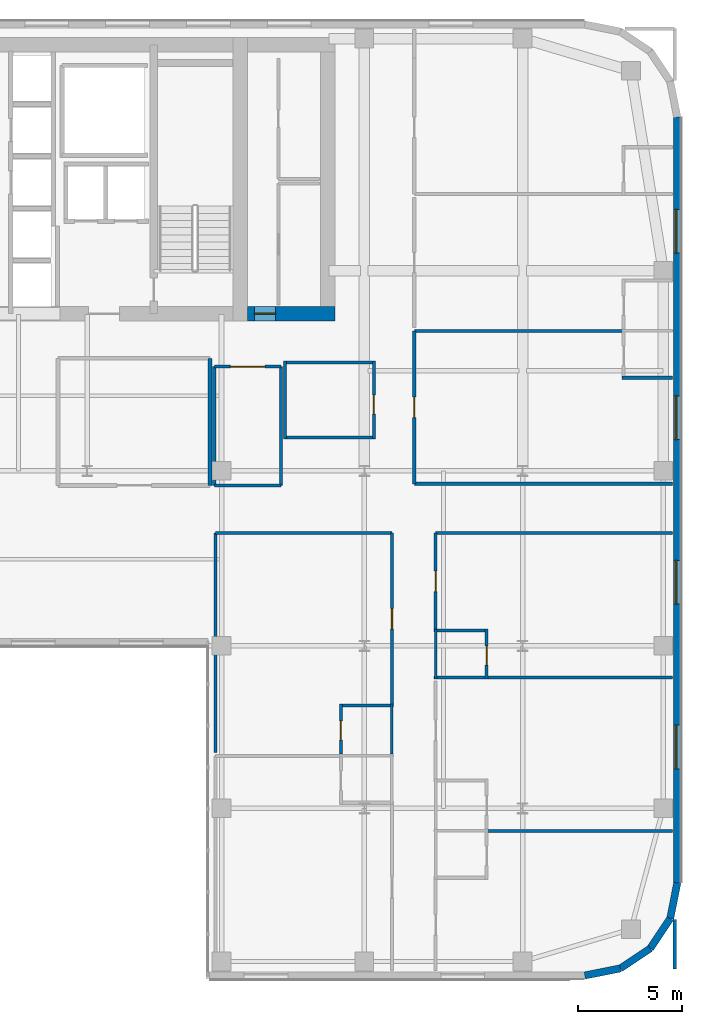
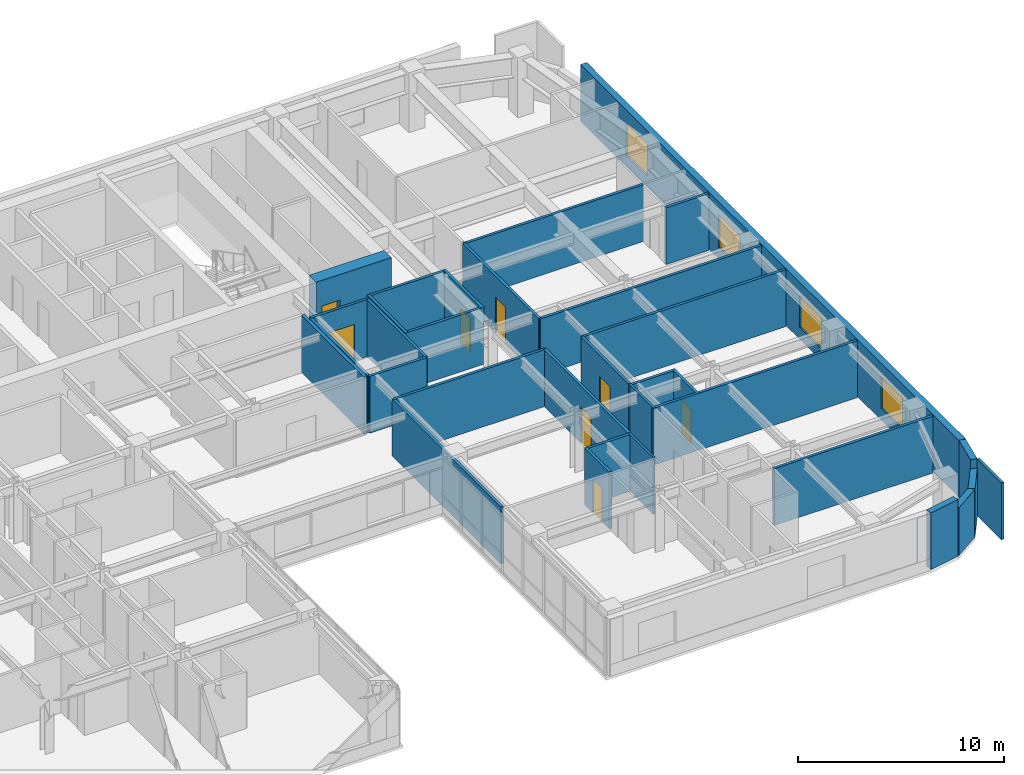
# One storey, part 16 of 24: 33 walls, 8 doors, 4 windows, 12 openings.
"""IFC4 building model written with IfcOpenShell, lengths in metres."""

from ifc_helpers import new_model, si_unit, direction, frame, frame_2d, origin, place, context, subcontext, project, spatial, rectangle, extrude, source, transform, mapped, material, layer, layer_set, type_object, type_shapes, element, fill, save


model = new_model("IFC4")

# Units and contexts
model_context = context("Model", 3, precision=1e-05, world=origin(), true_north=direction((0.0, 1.0)))
body_context = subcontext(model_context, "Body", "Model", "MODEL_VIEW")
ifc_project = project(units=[si_unit("LENGTHUNIT", "METRE"), si_unit("AREAUNIT", "SQUARE_METRE"), si_unit("VOLUMEUNIT", "CUBIC_METRE"), si_unit("PLANEANGLEUNIT", "RADIAN"), si_unit("MASSUNIT", "GRAM", prefix="KILO")], contexts=[model_context])

# Site, building, storey
site_placement = place(None, origin())
site = spatial("IfcSite", under=ifc_project, at=site_placement, CompositionType="ELEMENT")
building_placement = place(site_placement, origin())
building = spatial("IfcBuilding", under=site, at=building_placement, Name="Tolvann Quenvar Hotel", CompositionType="ELEMENT")
storey_placement = place(building_placement, frame((0.0, 0.0, 139.949951171875)))
storey = spatial("IfcBuildingStorey", under=building, at=storey_placement, Name="L36", CompositionType="ELEMENT", Elevation=139.949951171875)

# Wall, opening, door
ifc_material_1 = material(Name="Concrete S65 (65 MPa)", Category="concrete")
ifc_layer_1 = layer(ifc_material_1, 0.699951171875)
ifc_layer_set_1 = layer_set([ifc_layer_1], Name="Concrete S65 (65 MPa)")
wall_type_1 = type_object("IfcWallType", Name="WALL_CORE_700", PredefinedType="SHEAR", material=ifc_layer_set_1)
wall_1_placement = place(storey_placement, frame((36.199951171875, 31.949951171875, 0.0), z_axis=(0.0, 0.0, 1.0), x_axis=(1.0, 0.0, 0.0)))
wall_1 = element("IfcWall", 1, at=wall_1_placement, inside=storey, type_object=wall_type_1, Name="Core East Annex Shear Wall ANN-S (L36)", PredefinedType="SHEAR", context=body_context, shape_type="SweptSolid", body=[
    extrude(rectangle(XDim=4.199951171875, YDim=0.699951171875, at=frame_2d((2.10009765625, 0.0))), origin(), (0.0, 0.0, 1.0), 3.550048828125),
])
opening_1_placement = place(wall_1_placement, frame((1.340087890625, 0.0, 0.0), z_axis=(0.0, 0.0, 1.0), x_axis=(-1.0, 0.0, 0.0)))
opening_1 = element("IfcOpeningElement", 2, at=opening_1_placement, cuts=wall_1, Name="Opening HD-01", PredefinedType="OPENING", context=body_context, shape_type="SweptSolid", body=[
    extrude(rectangle(XDim=1.02001953125, YDim=2.030029296875, at=frame_2d((0.510009765625, 1.01513671875))), frame((0.0, 0.35986328125, 0.0), z_axis=(0.0, -1.0, 0.0), x_axis=(1.0, 0.0, 0.0)), (0.0, 0.0, 1.0), 0.719970703125),
])
ifc_material_2 = material(Name="Pressed galvanised steel fire-rated door set", Category="steel")
door_type_1 = type_object("IfcDoorType", Name="DOOR_BOH_1020", OperationType="NOTDEFINED", PredefinedType="DOOR", material=ifc_material_2)
shared_shape_1 = source(origin(), body_context, "Body", "SweptSolid", [
    extrude(rectangle(XDim=1.02001953125, YDim=2.030029296875, at=frame_2d((0.510009765625, 1.01513671875))), frame((0.0, 0.02490234375, 0.0), z_axis=(0.0, -1.0, 0.0), x_axis=(1.0, 0.0, 0.0)), (0.0, 0.0, 1.0), 0.050048828125),
])
type_shapes(door_type_1, [shared_shape_1])
door_1_placement = place(opening_1_placement, origin())
door_1 = element("IfcDoor", 3, at=door_1_placement, inside=storey, type_object=door_type_1, Name="Housekeeping Annex Fire Door (L36)", OperationType="SINGLE_SWING_RIGHT", OverallHeight=2.030029296875, OverallWidth=1.02001953125, PredefinedType="DOOR", context=body_context, shape_type="MappedRepresentation", body=[
    mapped(shared_shape_1, transform((0.0, 0.0, 0.0), x_axis=(1.0, 0.0, 0.0), y_axis=(0.0, 1.0, 0.0), z_axis=(0.0, 0.0, 1.0), scale=1.0)),
])
fill(opening_1, door_1)

# Walls
ifc_material_3 = material(Name="Kiln-fired red and buff architectural clay brickwork and terracotta masonry", Category="masonry")
ifc_layer_2 = layer(ifc_material_3, 0.35009765625)
ifc_layer_set_2 = layer_set([ifc_layer_2], Name="Kiln-fired red and buff architectural clay brickwork and terracotta masonry")
wall_type_2 = type_object("IfcWallType", Name="WALL_EXT_BRICK_350", PredefinedType="SOLIDWALL", material=ifc_layer_set_2)
wall_2_placement = place(storey_placement, frame((52.3828125, 0.175048828125, 0.0), z_axis=(0.0, 0.0, 1.0), x_axis=(0.980800971659, 0.195011420161, 0.0)))
element("IfcWall", 4, at=wall_2_placement, inside=storey, type_object=wall_type_2, Name="Exterior Chicago Brick Wall L36-E09", PredefinedType="SOLIDWALL", context=body_context, shape_type="SweptSolid", body=[
    extrude(rectangle(XDim=1.74267578125, YDim=0.35009765625, at=frame_2d((0.871337890625, 0.0))), origin(), (0.0, 0.0, 1.0), 3.3701171875),
])
for number, where, z_axis, x_axis, name in (
    (5, (54.092041015625, 0.514892578125, 0.0), (0.0, 0.0, 1.0), (0.831483840845, 0.55554893791, 0.0), "Exterior Chicago Brick Wall L36-E10"),
    (6, (55.526611328125, 1.473388671875, 0.0), (0.0, 0.0, 1.0), (0.55554893791, 0.831483840845, 0.0), "Exterior Chicago Brick Wall L36-E11"),
):
    element("IfcWall", number, at=place(storey_placement, frame(where, z_axis=z_axis, x_axis=x_axis)), inside=storey, type_object=wall_type_2, Name=name, PredefinedType="SOLIDWALL", context=body_context, shape_type="SweptSolid", body=[
        extrude(rectangle(XDim=1.725341796875, YDim=0.35009765625, at=frame_2d((0.86279296875, 0.0))), origin(), (0.0, 0.0, 1.0), 2.83203125),
    ])
wall_3_placement = place(storey_placement, frame((56.485107421875, 2.907958984375, 0.0), z_axis=(0.0, 0.0, 1.0), x_axis=(0.195011420161, 0.980800971659, 0.0)))
element("IfcWall", 7, at=wall_3_placement, inside=storey, type_object=wall_type_2, Name="Exterior Chicago Brick Wall L36-E12", PredefinedType="SOLIDWALL", context=body_context, shape_type="SweptSolid", body=[
    extrude(rectangle(XDim=1.74267578125, YDim=0.35009765625, at=frame_2d((0.871337890625, 0.0))), origin(), (0.0, 0.0, 1.0), 3.3701171875),
])

# Wall, openings, windows
wall_4_placement = place(storey_placement, frame((56.824951171875, 4.6171875, 0.0), z_axis=(0.0, 0.0, 1.0), x_axis=(0.0, 1.0, 0.0)))
wall_4 = element("IfcWall", 8, at=wall_4_placement, inside=storey, type_object=wall_type_2, Name="Exterior Chicago Brick Wall L36-E13", PredefinedType="SOLIDWALL", context=body_context, shape_type="SweptSolid", body=[
    extrude(rectangle(XDim=36.765625, YDim=0.35009765625, at=frame_2d((18.3828125, 0.0))), origin(), (0.0, 0.0, 1.0), 3.3701171875),
])
opening_2_placement = place(wall_4_placement, frame((5.47802734375, 0.0, 0.679931640625)))
opening_2 = element("IfcOpeningElement", 9, at=opening_2_placement, cuts=wall_4, Name="Opening W-02", PredefinedType="OPENING", context=body_context, shape_type="SweptSolid", body=[
    extrude(rectangle(XDim=2.10009765625, YDim=1.89990234375, at=frame_2d((1.050048828125, 0.949951171875))), frame((0.0, 0.18505859375, 0.0), z_axis=(0.0, -1.0, 0.0), x_axis=(1.0, 0.0, 0.0)), (0.0, 0.0, 1.0), 0.3701171875),
])
opening_3_placement = place(wall_4_placement, frame((13.381103515625, 0.0, 0.679931640625)))
opening_3 = element("IfcOpeningElement", 10, at=opening_3_placement, cuts=wall_4, Name="Opening W-02", PredefinedType="OPENING", context=body_context, shape_type="SweptSolid", body=[
    extrude(rectangle(XDim=2.10009765625, YDim=1.89990234375, at=frame_2d((1.050048828125, 0.949951171875))), frame((0.0, 0.18505859375, 0.0), z_axis=(0.0, -1.0, 0.0), x_axis=(1.0, 0.0, 0.0)), (0.0, 0.0, 1.0), 0.3701171875),
])
opening_4_placement = place(wall_4_placement, frame((21.284912109375, 0.0, 0.679931640625)))
opening_4 = element("IfcOpeningElement", 11, at=opening_4_placement, cuts=wall_4, Name="Opening W-02", PredefinedType="OPENING", context=body_context, shape_type="SweptSolid", body=[
    extrude(rectangle(XDim=2.10009765625, YDim=1.89990234375, at=frame_2d((1.050048828125, 0.949951171875))), frame((0.0, 0.18505859375, 0.0), z_axis=(0.0, -1.0, 0.0), x_axis=(1.0, 0.0, 0.0)), (0.0, 0.0, 1.0), 0.3701171875),
])
opening_5_placement = place(wall_4_placement, frame((30.238037109375, 0.0, 0.679931640625)))
opening_5 = element("IfcOpeningElement", 12, at=opening_5_placement, cuts=wall_4, Name="Opening W-02", PredefinedType="OPENING", context=body_context, shape_type="SweptSolid", body=[
    extrude(rectangle(XDim=2.10009765625, YDim=1.89990234375, at=frame_2d((1.050048828125, 0.949951171875))), frame((0.0, 0.18505859375, 0.0), z_axis=(0.0, -1.0, 0.0), x_axis=(1.0, 0.0, 0.0)), (0.0, 0.0, 1.0), 0.3701171875),
])
ifc_material_4 = material(Name="Thermally broken bronze-anodised aluminium frame with double low-E glazing", Category="aluminium")
window_type = type_object("IfcWindowType", Name="WIN_CHI_2100x2050", PartitioningType="TRIPLE_PANEL_HORIZONTAL", PredefinedType="WINDOW", material=ifc_material_4)
shared_shape_2 = source(origin(), body_context, "Body", "SweptSolid", [
    extrude(rectangle(XDim=2.10009765625, YDim=1.89990234375, at=frame_2d((1.050048828125, 0.949951171875))), frame((0.0, 0.090087890625, 0.0), z_axis=(0.0, -1.0, 0.0), x_axis=(1.0, 0.0, 0.0)), (0.0, 0.0, 1.0), 0.06005859375),
])
type_shapes(window_type, [shared_shape_2])
window_1_placement = place(opening_2_placement, origin())
window_1 = element("IfcWindow", 13, at=window_1_placement, inside=storey, type_object=window_type, Name="Chicago Window W-02 (EW-L36-E13-W01)", OverallHeight=1.89990234375, OverallWidth=2.10009765625, PartitioningType="TRIPLE_PANEL_HORIZONTAL", PredefinedType="WINDOW", context=body_context, shape_type="MappedRepresentation", body=[
    mapped(shared_shape_2, transform((0.0, 0.0, 0.0), x_axis=(1.0, 0.0, 0.0), y_axis=(0.0, 1.0, 0.0), z_axis=(0.0, 0.0, 1.0), scale=1.0)),
])
fill(opening_2, window_1)
window_2_placement = place(opening_3_placement, origin())
window_2 = element("IfcWindow", 14, at=window_2_placement, inside=storey, type_object=window_type, Name="Chicago Window W-02 (EW-L36-E13-W02)", OverallHeight=1.89990234375, OverallWidth=2.10009765625, PartitioningType="TRIPLE_PANEL_HORIZONTAL", PredefinedType="WINDOW", context=body_context, shape_type="MappedRepresentation", body=[
    mapped(shared_shape_2, transform((0.0, 0.0, 0.0), x_axis=(1.0, 0.0, 0.0), y_axis=(0.0, 1.0, 0.0), z_axis=(0.0, 0.0, 1.0), scale=1.0)),
])
fill(opening_3, window_2)
window_3_placement = place(opening_4_placement, origin())
window_3 = element("IfcWindow", 15, at=window_3_placement, inside=storey, type_object=window_type, Name="Chicago Window W-02 (EW-L36-E13-W03)", OverallHeight=1.89990234375, OverallWidth=2.10009765625, PartitioningType="TRIPLE_PANEL_HORIZONTAL", PredefinedType="WINDOW", context=body_context, shape_type="MappedRepresentation", body=[
    mapped(shared_shape_2, transform((0.0, 0.0, 0.0), x_axis=(1.0, 0.0, 0.0), y_axis=(0.0, 1.0, 0.0), z_axis=(0.0, 0.0, 1.0), scale=1.0)),
])
fill(opening_4, window_3)
window_4_placement = place(opening_5_placement, origin())
window_4 = element("IfcWindow", 16, at=window_4_placement, inside=storey, type_object=window_type, Name="Chicago Window W-02 (EW-L36-E13-W04)", OverallHeight=1.89990234375, OverallWidth=2.10009765625, PartitioningType="TRIPLE_PANEL_HORIZONTAL", PredefinedType="WINDOW", context=body_context, shape_type="MappedRepresentation", body=[
    mapped(shared_shape_2, transform((0.0, 0.0, 0.0), x_axis=(1.0, 0.0, 0.0), y_axis=(0.0, 1.0, 0.0), z_axis=(0.0, 0.0, 1.0), scale=1.0)),
])
fill(opening_5, window_4)

# Walls
ifc_material_5 = material(Name="Acoustic twin-stud fire-rated gypsum plasterboard partition")
ifc_layer_3 = layer(ifc_material_5, 0.179931640625)
ifc_layer_set_3 = layer_set([ifc_layer_3], Name="Acoustic twin-stud fire-rated gypsum plasterboard partition")
wall_type_3 = type_object("IfcWallType", Name="WALL_PART_ACOUSTIC_180", PredefinedType="PARTITIONING", material=ifc_layer_set_3)
wall_5_placement = place(storey_placement, frame((34.39990234375, 23.699951171875, 0.0), z_axis=(0.0, 0.0, 1.0), x_axis=(0.0, 1.0, 0.0)))
element("IfcWall", 17, at=wall_5_placement, inside=storey, type_object=wall_type_3, Name="Interior Partition PT-SPC-L36-MSP-C-E", PredefinedType="PARTITIONING", context=body_context, shape_type="SweptSolid", body=[
    extrude(rectangle(XDim=6.10009765625, YDim=0.179931640625, at=frame_2d((3.050048828125, 0.0))), origin(), (0.0, 0.0, 1.0), 3.3701171875),
])
ifc_material_6 = material(Name="Moisture-resistant acoustic plumbing wall assembly")
ifc_layer_4 = layer(ifc_material_6, 0.1201171875)
ifc_layer_set_4 = layer_set([ifc_layer_4], Name="Moisture-resistant acoustic plumbing wall assembly")
wall_type_4 = type_object("IfcWallType", Name="WALL_PART_BATH_120", PredefinedType="PLUMBINGWALL", material=ifc_layer_set_4)
wall_6_placement = place(storey_placement, frame((43.1298828125, 10.81005859375, 0.0), z_axis=(0.0, 0.0, 1.0), x_axis=(0.0, 1.0, 0.0)))
element("IfcWall", 18, at=wall_6_placement, inside=storey, type_object=wall_type_4, Name="Non-Rated Plumbing Partition PT-SPC-L36-ENS-EI02-E", PredefinedType="PLUMBINGWALL", context=body_context, shape_type="SweptSolid", body=[
    extrude(rectangle(XDim=2.389892578125, YDim=0.1201171875, at=frame_2d((1.19482421875, 0.0))), origin(), (0.0, 0.0, 1.0), 3.3701171875),
])
wall_7_placement = place(storey_placement, frame((45.219970703125, 14.409912109375, 0.0), z_axis=(0.0, 0.0, 1.0), x_axis=(0.0, 1.0, 0.0)))
element("IfcWall", 19, at=wall_7_placement, inside=storey, type_object=wall_type_4, Name="Non-Rated Plumbing Partition PT-SPC-L36-ENS-EO03-W", PredefinedType="PLUMBINGWALL", context=body_context, shape_type="SweptSolid", body=[
    extrude(rectangle(XDim=2.39013671875, YDim=0.1201171875, at=frame_2d((1.195068359375, 0.0))), origin(), (0.0, 0.0, 1.0), 3.3701171875),
])

# Wall, opening, door
ifc_layer_5 = layer(ifc_material_5, 0.14990234375)
ifc_layer_set_5 = layer_set([ifc_layer_5], Name="Acoustic twin-stud fire-rated gypsum plasterboard partition")
wall_type_5 = type_object("IfcWallType", Name="WALL_PART_SUITE_150", PredefinedType="PARTITIONING", material=ifc_layer_set_5)
wall_8_placement = place(storey_placement, frame((40.679931640625, 10.81005859375, 0.0), z_axis=(0.0, 0.0, 1.0), x_axis=(0.0, 1.0, 0.0)))
wall_8 = element("IfcWall", 20, at=wall_8_placement, inside=storey, type_object=wall_type_5, Name="Interior Partition PT-SPC-L36-ENS-EI02-ENT", PredefinedType="PARTITIONING", context=body_context, shape_type="SweptSolid", body=[
    extrude(rectangle(XDim=2.389892578125, YDim=0.14990234375, at=frame_2d((1.19482421875, 0.0))), origin(), (0.0, 0.0, 1.0), 3.3701171875),
])
opening_6_placement = place(wall_8_placement, frame((0.6650390625, 0.0, 0.0)))
opening_6 = element("IfcOpeningElement", 21, at=opening_6_placement, cuts=wall_8, Name="Opening WD-01", PredefinedType="OPENING", context=body_context, shape_type="SweptSolid", body=[
    extrude(rectangle(XDim=0.919921875, YDim=2.010009765625, at=frame_2d((0.4599609375, 1.0048828125))), frame((0.0, 0.0849609375, 0.0), z_axis=(0.0, -1.0, 0.0), x_axis=(1.0, 0.0, 0.0)), (0.0, 0.0, 1.0), 0.169921875),
])
ifc_material_7 = material(Name="Solid-core American oak acoustic fire door leaf in steel frame", Category="steel")
door_type_2 = type_object("IfcDoorType", Name="DOOR_WC_920", OperationType="NOTDEFINED", PredefinedType="DOOR", material=ifc_material_7)
shared_shape_3 = source(origin(), body_context, "Body", "SweptSolid", [
    extrude(rectangle(XDim=0.919921875, YDim=2.010009765625, at=frame_2d((0.4599609375, 1.0048828125))), frame((0.0, 0.02490234375, 0.0), z_axis=(0.0, -1.0, 0.0), x_axis=(1.0, 0.0, 0.0)), (0.0, 0.0, 1.0), 0.050048828125),
])
type_shapes(door_type_2, [shared_shape_3])
door_2_placement = place(opening_6_placement, origin())
door_2 = element("IfcDoor", 22, at=door_2_placement, inside=storey, type_object=door_type_2, Name="Interior Door DOOR-SPC-L36-ENS-EI02", OperationType="SINGLE_SWING_RIGHT", OverallHeight=2.010009765625, OverallWidth=0.919921875, PredefinedType="DOOR", context=body_context, shape_type="MappedRepresentation", body=[
    mapped(shared_shape_3, transform((0.0, 0.0, 0.0), x_axis=(1.0, 0.0, 0.0), y_axis=(0.0, 1.0, 0.0), z_axis=(0.0, 0.0, 1.0), scale=1.0)),
])
fill(opening_6, door_2)

# Wall
wall_9_placement = place(storey_placement, frame((40.610107421875, 13.1298828125, 0.0), z_axis=(0.0, 0.0, 1.0), x_axis=(1.0, 0.0, 0.0)))
element("IfcWall", 23, at=wall_9_placement, inside=storey, type_object=wall_type_5, Name="Interior Partition PT-SPC-L36-ENS-EI02-N", PredefinedType="PARTITIONING", context=body_context, shape_type="SweptSolid", body=[
    extrude(rectangle(XDim=2.58984375, YDim=0.14990234375, at=frame_2d((1.294921875, 0.0))), origin(), (0.0, 0.0, 1.0), 3.3701171875),
])

# Wall, opening, door
wall_10_placement = place(storey_placement, frame((47.669921875, 14.409912109375, 0.0), z_axis=(0.0, 0.0, 1.0), x_axis=(0.0, 1.0, 0.0)))
wall_10 = element("IfcWall", 24, at=wall_10_placement, inside=storey, type_object=wall_type_5, Name="Interior Partition PT-SPC-L36-ENS-EO03-ENT", PredefinedType="PARTITIONING", context=body_context, shape_type="SweptSolid", body=[
    extrude(rectangle(XDim=2.39013671875, YDim=0.14990234375, at=frame_2d((1.195068359375, 0.0))), origin(), (0.0, 0.0, 1.0), 3.3701171875),
])
opening_7_placement = place(wall_10_placement, frame((0.6650390625, 0.0, 0.0)))
opening_7 = element("IfcOpeningElement", 25, at=opening_7_placement, cuts=wall_10, Name="Opening WD-01", PredefinedType="OPENING", context=body_context, shape_type="SweptSolid", body=[
    extrude(rectangle(XDim=0.919921875, YDim=2.010009765625, at=frame_2d((0.4599609375, 1.0048828125))), frame((0.0, 0.0849609375, 0.0), z_axis=(0.0, -1.0, 0.0), x_axis=(1.0, 0.0, 0.0)), (0.0, 0.0, 1.0), 0.169921875),
])
door_3_placement = place(opening_7_placement, origin())
door_3 = element("IfcDoor", 26, at=door_3_placement, inside=storey, type_object=door_type_2, Name="Interior Door DOOR-SPC-L36-ENS-EO03", OperationType="SINGLE_SWING_LEFT", OverallHeight=2.010009765625, OverallWidth=0.919921875, PredefinedType="DOOR", context=body_context, shape_type="MappedRepresentation", body=[
    mapped(shared_shape_3, transform((0.0, 0.0, 0.0), x_axis=(1.0, 0.0, 0.0), y_axis=(0.0, 1.0, 0.0), z_axis=(0.0, 0.0, 1.0), scale=1.0)),
])
fill(opening_7, door_3)

# Walls
wall_11_placement = place(storey_placement, frame((45.14990234375, 14.47998046875, 0.0), z_axis=(0.0, 0.0, 1.0), x_axis=(1.0, 0.0, 0.0)))
element("IfcWall", 27, at=wall_11_placement, inside=storey, type_object=wall_type_5, Name="Interior Partition PT-SPC-L36-ENS-EO03-S", PredefinedType="PARTITIONING", context=body_context, shape_type="SweptSolid", body=[
    extrude(rectangle(XDim=11.445068359375, YDim=0.14990234375, at=frame_2d((5.72265625, 0.0))), origin(), (0.0, 0.0, 1.0), 3.3701171875),
])
wall_12_placement = place(storey_placement, frame((45.14990234375, 16.72998046875, 0.0), z_axis=(0.0, 0.0, 1.0), x_axis=(1.0, 0.0, 0.0)))
element("IfcWall", 28, at=wall_12_placement, inside=storey, type_object=wall_type_5, Name="Interior Partition PT-SPC-L36-ENS-EO03-N", PredefinedType="PARTITIONING", context=body_context, shape_type="SweptSolid", body=[
    extrude(rectangle(XDim=2.590087890625, YDim=0.14990234375, at=frame_2d((1.294921875, 0.0))), origin(), (0.0, 0.0, 1.0), 3.3701171875),
])
wall_13_placement = place(storey_placement, frame((54.179931640625, 28.8701171875, 0.0), z_axis=(0.0, 0.0, 1.0), x_axis=(1.0, 0.0, 0.0)))
element("IfcWall", 29, at=wall_13_placement, inside=storey, type_object=wall_type_5, Name="Interior Partition PT-SPC-L36-ENS-NE01-S", PredefinedType="PARTITIONING", context=body_context, shape_type="SweptSolid", body=[
    extrude(rectangle(XDim=2.4150390625, YDim=0.14990234375, at=frame_2d((1.20751953125, 0.0))), origin(), (0.0, 0.0, 1.0), 3.3701171875),
])

# Wall, opening, door
wall_14_placement = place(storey_placement, frame((43.1298828125, 13.2099609375, 0.0), z_axis=(0.0, 0.0, 1.0), x_axis=(0.0, 1.0, 0.0)))
wall_14 = element("IfcWall", 30, at=wall_14_placement, inside=storey, type_object=wall_type_5, Name="Interior Partition PT-SPC-L36-RM-EI02-ENT", PredefinedType="PARTITIONING", context=body_context, shape_type="SweptSolid", body=[
    extrude(rectangle(XDim=8.2099609375, YDim=0.14990234375, at=frame_2d((4.10498046875, 0.0))), origin(), (0.0, 0.0, 1.0), 3.3701171875),
])
opening_8_placement = place(wall_14_placement, frame((3.594970703125, 0.0, 0.0)))
opening_8 = element("IfcOpeningElement", 31, at=opening_8_placement, cuts=wall_14, Name="Opening SD-01", PredefinedType="OPENING", context=body_context, shape_type="SweptSolid", body=[
    extrude(rectangle(XDim=0.97998046875, YDim=2.1201171875, at=frame_2d((0.489990234375, 1.06005859375))), frame((0.0, 0.0849609375, 0.0), z_axis=(0.0, -1.0, 0.0), x_axis=(1.0, 0.0, 0.0)), (0.0, 0.0, 1.0), 0.169921875),
])
door_type_3 = type_object("IfcDoorType", Name="DOOR_SUITE_980", OperationType="NOTDEFINED", PredefinedType="DOOR", material=ifc_material_7)
shared_shape_4 = source(origin(), body_context, "Body", "SweptSolid", [
    extrude(rectangle(XDim=0.97998046875, YDim=2.1201171875, at=frame_2d((0.489990234375, 1.06005859375))), frame((0.0, 0.02490234375, 0.0), z_axis=(0.0, -1.0, 0.0), x_axis=(1.0, 0.0, 0.0)), (0.0, 0.0, 1.0), 0.050048828125),
])
type_shapes(door_type_3, [shared_shape_4])
door_4_placement = place(opening_8_placement, origin())
door_4 = element("IfcDoor", 32, at=door_4_placement, inside=storey, type_object=door_type_3, Name="Interior Door DOOR-SPC-L36-RM-EI02", OperationType="SINGLE_SWING_LEFT", OverallHeight=2.1201171875, OverallWidth=0.97998046875, PredefinedType="DOOR", context=body_context, shape_type="MappedRepresentation", body=[
    mapped(shared_shape_4, transform((0.0, 0.0, 0.0), x_axis=(1.0, 0.0, 0.0), y_axis=(0.0, 1.0, 0.0), z_axis=(0.0, 0.0, 1.0), scale=1.0)),
])
fill(opening_8, door_4)

# Walls
wall_15_placement = place(storey_placement, frame((34.64990234375, 21.419921875, 0.0), z_axis=(0.0, 0.0, 1.0), x_axis=(1.0, 0.0, 0.0)))
element("IfcWall", 33, at=wall_15_placement, inside=storey, type_object=wall_type_5, Name="Interior Partition PT-SPC-L36-RM-EI02-E5", PredefinedType="PARTITIONING", context=body_context, shape_type="SweptSolid", body=[
    extrude(rectangle(XDim=8.47998046875, YDim=0.14990234375, at=frame_2d((4.239990234375, 0.0))), origin(), (0.0, 0.0, 1.0), 3.3701171875),
])
wall_16_placement = place(storey_placement, frame((34.64990234375, 10.8798828125, 0.0), z_axis=(0.0, 0.0, 1.0), x_axis=(0.0, 1.0, 0.0)))
element("IfcWall", 34, at=wall_16_placement, inside=storey, type_object=wall_type_5, Name="Interior Partition PT-SPC-L36-RM-EI02-E6", PredefinedType="PARTITIONING", context=body_context, shape_type="SweptSolid", body=[
    extrude(rectangle(XDim=10.5400390625, YDim=0.14990234375, at=frame_2d((5.27001953125, 0.0))), origin(), (0.0, 0.0, 1.0), 3.3701171875),
])
wall_17_placement = place(storey_placement, frame((56.699951171875, 0.47998046875, 0.0), z_axis=(0.0, 0.0, 1.0), x_axis=(0.0, 1.0, 0.0)))
element("IfcWall", 35, at=wall_17_placement, inside=storey, type_object=wall_type_5, Name="Interior Partition PT-SPC-L36-RM-EO01-E2", PredefinedType="PARTITIONING", context=body_context, shape_type="SweptSolid", body=[
    extrude(rectangle(XDim=2.385009765625, YDim=0.14990234375, at=frame_2d((1.1923828125, 0.0))), origin(), (0.0, 0.0, 1.0), 3.3701171875),
])
wall_18_placement = place(storey_placement, frame((47.68994140625, 7.1201171875, 0.0), z_axis=(0.0, 0.0, 1.0), x_axis=(1.0, 0.0, 0.0)))
element("IfcWall", 36, at=wall_18_placement, inside=storey, type_object=wall_type_5, Name="Interior Partition PT-SPC-L36-RM-EO01-E3", PredefinedType="PARTITIONING", context=body_context, shape_type="SweptSolid", body=[
    extrude(rectangle(XDim=8.905029296875, YDim=0.14990234375, at=frame_2d((4.45263671875, 0.0))), origin(), (0.0, 0.0, 1.0), 3.3701171875),
])

# Wall, opening, door
wall_19_placement = place(storey_placement, frame((45.219970703125, 16.81005859375, 0.0), z_axis=(0.0, 0.0, 1.0), x_axis=(0.0, 1.0, 0.0)))
wall_19 = element("IfcWall", 37, at=wall_19_placement, inside=storey, type_object=wall_type_5, Name="Interior Partition PT-SPC-L36-RM-EO03-ENT", PredefinedType="PARTITIONING", context=body_context, shape_type="SweptSolid", body=[
    extrude(rectangle(XDim=4.60986328125, YDim=0.14990234375, at=frame_2d((2.304931640625, 0.0))), origin(), (0.0, 0.0, 1.0), 3.3701171875),
])
opening_9_placement = place(wall_19_placement, frame((1.794921875, 0.0, 0.0)))
opening_9 = element("IfcOpeningElement", 38, at=opening_9_placement, cuts=wall_19, Name="Opening SD-01", PredefinedType="OPENING", context=body_context, shape_type="SweptSolid", body=[
    extrude(rectangle(XDim=0.97998046875, YDim=2.1201171875, at=frame_2d((0.489990234375, 1.06005859375))), frame((0.0, 0.0849609375, 0.0), z_axis=(0.0, -1.0, 0.0), x_axis=(1.0, 0.0, 0.0)), (0.0, 0.0, 1.0), 0.169921875),
])
door_5_placement = place(opening_9_placement, origin())
door_5 = element("IfcDoor", 39, at=door_5_placement, inside=storey, type_object=door_type_3, Name="Interior Door DOOR-SPC-L36-RM-EO03", OperationType="SINGLE_SWING_RIGHT", OverallHeight=2.1201171875, OverallWidth=0.97998046875, PredefinedType="DOOR", context=body_context, shape_type="MappedRepresentation", body=[
    mapped(shared_shape_4, transform((0.0, 0.0, 0.0), x_axis=(1.0, 0.0, 0.0), y_axis=(0.0, 1.0, 0.0), z_axis=(0.0, 0.0, 1.0), scale=1.0)),
])
fill(opening_9, door_5)

# Wall
wall_20_placement = place(storey_placement, frame((45.219970703125, 21.419921875, 0.0), z_axis=(0.0, 0.0, 1.0), x_axis=(1.0, 0.0, 0.0)))
element("IfcWall", 40, at=wall_20_placement, inside=storey, type_object=wall_type_5, Name="Interior Partition PT-SPC-L36-RM-EO03-E5", PredefinedType="PARTITIONING", context=body_context, shape_type="SweptSolid", body=[
    extrude(rectangle(XDim=11.375, YDim=0.14990234375, at=frame_2d((5.6875, 0.0))), origin(), (0.0, 0.0, 1.0), 3.3701171875),
])

# Wall, opening, door
wall_21_placement = place(storey_placement, frame((44.199951171875, 23.780029296875, 0.0), z_axis=(0.0, 0.0, 1.0), x_axis=(0.0, 1.0, 0.0)))
wall_21 = element("IfcWall", 41, at=wall_21_placement, inside=storey, type_object=wall_type_5, Name="Interior Partition PT-SPC-L36-RM-NE01-ENT", PredefinedType="PARTITIONING", context=body_context, shape_type="SweptSolid", body=[
    extrude(rectangle(XDim=7.340087890625, YDim=0.14990234375, at=frame_2d((3.669921875, 0.0))), origin(), (0.0, 0.0, 1.0), 3.3701171875),
])
opening_10_placement = place(wall_21_placement, frame((3.179931640625, 0.0, 0.0)))
opening_10 = element("IfcOpeningElement", 42, at=opening_10_placement, cuts=wall_21, Name="Opening SD-01", PredefinedType="OPENING", context=body_context, shape_type="SweptSolid", body=[
    extrude(rectangle(XDim=0.97998046875, YDim=2.1201171875, at=frame_2d((0.489990234375, 1.06005859375))), frame((0.0, 0.0849609375, 0.0), z_axis=(0.0, -1.0, 0.0), x_axis=(1.0, 0.0, 0.0)), (0.0, 0.0, 1.0), 0.169921875),
])
door_6_placement = place(opening_10_placement, origin())
door_6 = element("IfcDoor", 43, at=door_6_placement, inside=storey, type_object=door_type_3, Name="Interior Door DOOR-SPC-L36-RM-NE01", OperationType="SINGLE_SWING_LEFT", OverallHeight=2.1201171875, OverallWidth=0.97998046875, PredefinedType="DOOR", context=body_context, shape_type="MappedRepresentation", body=[
    mapped(shared_shape_4, transform((0.0, 0.0, 0.0), x_axis=(1.0, 0.0, 0.0), y_axis=(0.0, 1.0, 0.0), z_axis=(0.0, 0.0, 1.0), scale=1.0)),
])
fill(opening_10, door_6)

# Walls
wall_22_placement = place(storey_placement, frame((44.199951171875, 23.780029296875, 0.0), z_axis=(0.0, 0.0, 1.0), x_axis=(1.0, 0.0, 0.0)))
element("IfcWall", 44, at=wall_22_placement, inside=storey, type_object=wall_type_5, Name="Interior Partition PT-SPC-L36-RM-NE01-E1", PredefinedType="PARTITIONING", context=body_context, shape_type="SweptSolid", body=[
    extrude(rectangle(XDim=12.39501953125, YDim=0.14990234375, at=frame_2d((6.197509765625, 0.0))), origin(), (0.0, 0.0, 1.0), 3.3701171875),
])
wall_23_placement = place(storey_placement, frame((44.199951171875, 31.1201171875, 0.0), z_axis=(0.0, 0.0, 1.0), x_axis=(1.0, 0.0, 0.0)))
element("IfcWall", 45, at=wall_23_placement, inside=storey, type_object=wall_type_5, Name="Interior Partition PT-SPC-L36-RM-NE01-E5", PredefinedType="PARTITIONING", context=body_context, shape_type="SweptSolid", body=[
    extrude(rectangle(XDim=10.030029296875, YDim=0.14990234375, at=frame_2d((5.01513671875, 0.0))), origin(), (0.0, 0.0, 1.0), 3.3701171875),
])

# Wall, opening, door
wall_24_placement = place(storey_placement, frame((42.260009765625, 25.929931640625, 0.0), z_axis=(0.0, 0.0, 1.0), x_axis=(0.0, 1.0, 0.0)))
wall_24 = element("IfcWall", 46, at=wall_24_placement, inside=storey, type_object=wall_type_5, Name="Interior Partition PT-SPC-L36-WCA-ENT", PredefinedType="PARTITIONING", context=body_context, shape_type="SweptSolid", body=[
    extrude(rectangle(XDim=3.739990234375, YDim=0.14990234375, at=frame_2d((1.8701171875, 0.0))), origin(), (0.0, 0.0, 1.0), 3.3701171875),
])
opening_11_placement = place(wall_24_placement, frame((1.18994140625, 0.0, 0.0)))
opening_11 = element("IfcOpeningElement", 47, at=opening_11_placement, cuts=wall_24, Name="Opening WD-01", PredefinedType="OPENING", context=body_context, shape_type="SweptSolid", body=[
    extrude(rectangle(XDim=0.919921875, YDim=2.010009765625, at=frame_2d((0.4599609375, 1.0048828125))), frame((0.0, 0.0849609375, 0.0), z_axis=(0.0, -1.0, 0.0), x_axis=(1.0, 0.0, 0.0)), (0.0, 0.0, 1.0), 0.169921875),
])
door_7_placement = place(opening_11_placement, origin())
door_7 = element("IfcDoor", 48, at=door_7_placement, inside=storey, type_object=door_type_2, Name="Interior Door DOOR-SPC-L36-WCA", OperationType="SINGLE_SWING_RIGHT", OverallHeight=2.010009765625, OverallWidth=0.919921875, PredefinedType="DOOR", context=body_context, shape_type="MappedRepresentation", body=[
    mapped(shared_shape_3, transform((0.0, 0.0, 0.0), x_axis=(1.0, 0.0, 0.0), y_axis=(0.0, 1.0, 0.0), z_axis=(0.0, 0.0, 1.0), scale=1.0)),
])
fill(opening_11, door_7)

# Walls
for number, where, z_axis, x_axis, name in (
    (49, (37.929931640625, 26.0, 0.0), (0.0, 0.0, 1.0), (1.0, 0.0, 0.0), "Interior Partition PT-SPC-L36-WCA-S"),
    (50, (37.929931640625, 29.60009765625, 0.0), (0.0, 0.0, 1.0), (1.0, 0.0, 0.0), "Interior Partition PT-SPC-L36-WCA-N"),
):
    element("IfcWall", number, at=place(storey_placement, frame(where, z_axis=z_axis, x_axis=x_axis)), inside=storey, type_object=wall_type_5, Name=name, PredefinedType="PARTITIONING", context=body_context, shape_type="SweptSolid", body=[
        extrude(rectangle(XDim=4.400146484375, YDim=0.14990234375, at=frame_2d((2.2001953125, 0.0))), origin(), (0.0, 0.0, 1.0), 3.3701171875),
    ])
wall_25_placement = place(storey_placement, frame((38.0, 25.929931640625, 0.0), z_axis=(0.0, 0.0, 1.0), x_axis=(0.0, 1.0, 0.0)))
element("IfcWall", 51, at=wall_25_placement, inside=storey, type_object=wall_type_5, Name="Interior Partition PT-SPC-L36-WCA-W", PredefinedType="PARTITIONING", context=body_context, shape_type="SweptSolid", body=[
    extrude(rectangle(XDim=3.739990234375, YDim=0.14990234375, at=frame_2d((1.8701171875, 0.0))), origin(), (0.0, 0.0, 1.0), 3.3701171875),
])
wall_26_placement = place(storey_placement, frame((34.60009765625, 23.699951171875, 0.0), z_axis=(0.0, 0.0, 1.0), x_axis=(1.0, 0.0, 0.0)))
element("IfcWall", 52, at=wall_26_placement, inside=storey, type_object=wall_type_5, Name="Interior Partition PT-SPC-L36-MSP-E-S", PredefinedType="PARTITIONING", context=body_context, shape_type="SweptSolid", body=[
    extrude(rectangle(XDim=3.199951171875, YDim=0.14990234375, at=frame_2d((1.60009765625, 0.0))), origin(), (0.0, 0.0, 1.0), 3.3701171875),
])

# Wall, opening, door
wall_27_placement = place(storey_placement, frame((34.60009765625, 29.39990234375, 0.0), z_axis=(0.0, 0.0, 1.0), x_axis=(1.0, 0.0, 0.0)))
wall_27 = element("IfcWall", 53, at=wall_27_placement, inside=storey, type_object=wall_type_5, Name="Interior Partition PT-SPC-L36-MSP-E-N", PredefinedType="PARTITIONING", context=body_context, shape_type="SweptSolid", body=[
    extrude(rectangle(XDim=3.199951171875, YDim=0.14990234375, at=frame_2d((1.60009765625, 0.0))), origin(), (0.0, 0.0, 1.0), 3.3701171875),
])
opening_12_placement = place(wall_27_placement, frame((0.77490234375, 0.0, 0.0)))
opening_12 = element("IfcOpeningElement", 54, at=opening_12_placement, cuts=wall_27, Name="Opening AD-01", PredefinedType="OPENING", context=body_context, shape_type="SweptSolid", body=[
    extrude(rectangle(XDim=1.64990234375, YDim=2.14990234375, at=frame_2d((0.824951171875, 1.074951171875))), frame((0.0, 0.0849609375, 0.0), z_axis=(0.0, -1.0, 0.0), x_axis=(1.0, 0.0, 0.0)), (0.0, 0.0, 1.0), 0.169921875),
])
door_type_4 = type_object("IfcDoorType", Name="DOOR_SALON_1650", OperationType="NOTDEFINED", PredefinedType="DOOR", material=ifc_material_7)
shared_shape_5 = source(origin(), body_context, "Body", "SweptSolid", [
    extrude(rectangle(XDim=1.64990234375, YDim=2.14990234375, at=frame_2d((0.824951171875, 1.074951171875))), frame((0.0, 0.02490234375, 0.0), z_axis=(0.0, -1.0, 0.0), x_axis=(1.0, 0.0, 0.0)), (0.0, 0.0, 1.0), 0.050048828125),
])
type_shapes(door_type_4, [shared_shape_5])
door_8_placement = place(opening_12_placement, origin())
door_8 = element("IfcDoor", 55, at=door_8_placement, inside=storey, type_object=door_type_4, Name="Interior Door DOOR-SPC-L36-MSP-E", OperationType="DOUBLE_DOOR_SINGLE_SWING", OverallHeight=2.14990234375, OverallWidth=1.64990234375, PredefinedType="DOOR", context=body_context, shape_type="MappedRepresentation", body=[
    mapped(shared_shape_5, transform((0.0, 0.0, 0.0), x_axis=(1.0, 0.0, 0.0), y_axis=(0.0, 1.0, 0.0), z_axis=(0.0, 0.0, 1.0), scale=1.0)),
])
fill(opening_12, door_8)

# Walls
for number, where, z_axis, x_axis, name in (
    (56, (34.60009765625, 23.699951171875, 0.0), (0.0, 0.0, 1.0), (0.0, 1.0, 0.0), "Interior Partition PT-SPC-L36-MSP-E-W"),
    (57, (37.800048828125, 23.699951171875, 0.0), (0.0, 0.0, 1.0), (0.0, 1.0, 0.0), "Interior Partition PT-SPC-L36-MSP-E-E"),
):
    element("IfcWall", number, at=place(storey_placement, frame(where, z_axis=z_axis, x_axis=x_axis)), inside=storey, type_object=wall_type_5, Name=name, PredefinedType="PARTITIONING", context=body_context, shape_type="SweptSolid", body=[
        extrude(rectangle(XDim=5.699951171875, YDim=0.14990234375, at=frame_2d((2.85009765625, 0.0))), origin(), (0.0, 0.0, 1.0), 3.3701171875),
    ])

save(model, "model.ifc")
